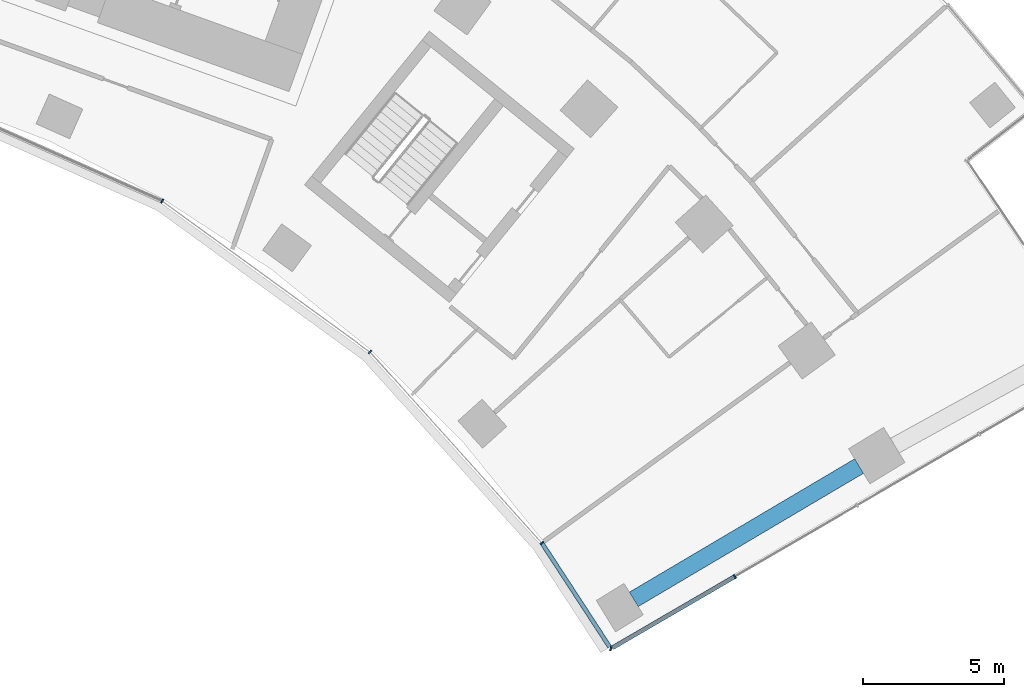
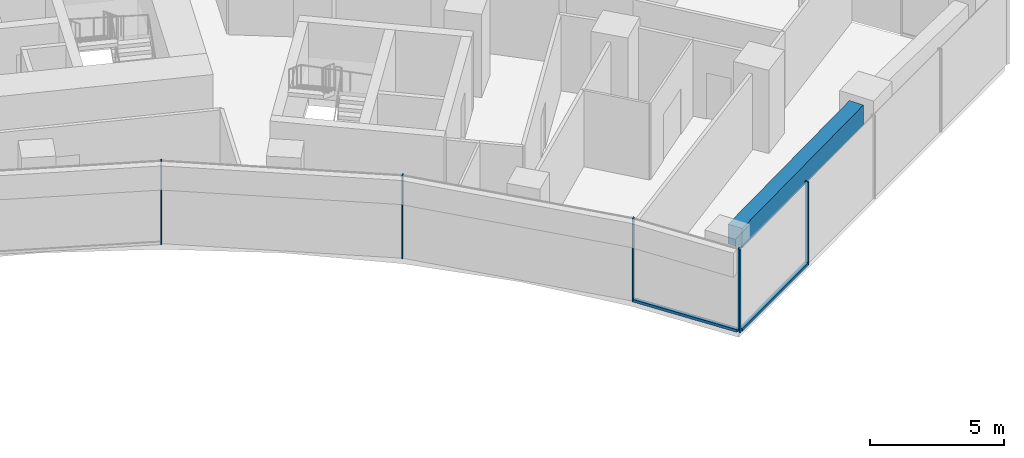
# One storey, part 8 of 21: 7 members, 1 beam, 2 elements without a shape of their own.
"""IFC4 building model written with IfcOpenShell, lengths in metres."""

from ifc_helpers import new_model, si_unit, direction, frame, origin, origin_2d, place, context, subcontext, project, spatial, rectangle, extrude, material, layer, layer_set, material_profile, profile_set, type_object, element, aggregate, save


model = new_model("IFC4")

# Units and contexts
model_context = context("Model", 3, precision=1e-05, world=origin(), true_north=direction((0.0, 1.0)))
body_context = subcontext(model_context, "Body", "Model", "MODEL_VIEW")
ifc_project = project(units=[si_unit("LENGTHUNIT", "METRE"), si_unit("AREAUNIT", "SQUARE_METRE"), si_unit("VOLUMEUNIT", "CUBIC_METRE"), si_unit("PLANEANGLEUNIT", "RADIAN"), si_unit("MASSUNIT", "GRAM", prefix="KILO")], contexts=[model_context])

# Site, building, storey
site_placement = place(None, origin())
site = spatial("IfcSite", under=ifc_project, at=site_placement, CompositionType="ELEMENT")
building_placement = place(site_placement, origin())
building = spatial("IfcBuilding", under=site, at=building_placement, Name="Stone Belt Terrace Tower", CompositionType="ELEMENT")
storey_placement = place(building_placement, frame((0.0, 0.0, 90.800048828125)))
storey = spatial("IfcBuildingStorey", under=building, at=storey_placement, Name="L21", CompositionType="ELEMENT", Elevation=90.800048828125)

# Curtain wall, members
ifc_material_1 = material(Name="Aluminium 6063-T6 anodised frame", Category="aluminium")
ifc_layer_1 = layer(ifc_material_1, 0.14990234375)
ifc_layer_set_1 = layer_set([ifc_layer_1], Name="CW-B unitised concave-face curtain wall")
curtain_wall_type_1 = type_object("IfcCurtainWallType", Name="CW-B unitised concave-face curtain wall", PredefinedType="NOTDEFINED", material=ifc_layer_set_1)
curtain_wall_1_placement = place(storey_placement, origin())
curtain_wall_1 = element("IfcCurtainWall", 1, at=curtain_wall_1_placement, inside=storey, type_object=curtain_wall_type_1, Name="CW-B concave face L21", PredefinedType="NOTDEFINED")
ifc_material_profile_1 = material_profile(ifc_material_1, rectangle(XDim=0.14990234375, YDim=0.050048828125, at=origin_2d()), Name="Aluminium 6063-T6 50x150")
ifc_profile_set_1 = profile_set([ifc_material_profile_1], Name="Aluminium 6063-T6 anodised frame")
member_type_1 = type_object("IfcMemberType", Name="CW-B mullion 50 x 150", PredefinedType="MULLION", material=ifc_profile_set_1)
member_1_placement = place(storey_placement, frame((21.71240234375, 37.606689453125, 0.0), z_axis=(0.0, 0.0, 1.0), x_axis=(0.5, 0.866025403784, 0.0)))
member_1 = element("IfcMember", 2, at=member_1_placement, type_object=member_type_1, Name="CW-B mullion 8", PredefinedType="MULLION", context=body_context, shape_type="SweptSolid", body=[
    extrude(rectangle(XDim=0.14990234375, YDim=0.050048828125, at=origin_2d()), origin(), (0.0, 0.0, 1.0), 3.800048828125),
])
member_2_placement = place(storey_placement, frame((29.056640625, 32.270751953125, 0.0), z_axis=(0.0, 0.0, 1.0), x_axis=(0.669130606359, 0.743144825477, 0.0)))
member_2 = element("IfcMember", 3, at=member_2_placement, type_object=member_type_1, Name="CW-B mullion 9", PredefinedType="MULLION", context=body_context, shape_type="SweptSolid", body=[
    extrude(rectangle(XDim=0.14990234375, YDim=0.050048828125, at=origin_2d()), origin(), (0.0, 0.0, 1.0), 3.800048828125),
])
member_3_placement = place(storey_placement, frame((35.132568359375, 25.522705078125, 0.0), z_axis=(0.0, 0.0, 1.0), x_axis=(0.792811047542, 0.609467507662, 0.0)))
member_3 = element("IfcMember", 4, at=member_3_placement, type_object=member_type_1, Name="CW-B mullion 10", PredefinedType="MULLION", context=body_context, shape_type="SweptSolid", body=[
    extrude(rectangle(XDim=0.14990234375, YDim=0.050048828125, at=origin_2d()), origin(), (0.0, 0.0, 1.0), 3.800048828125),
])
ifc_material_profile_2 = material_profile(ifc_material_1, rectangle(XDim=0.14990234375, YDim=0.1201171875, at=origin_2d()), Name="Aluminium 6063-T6 150x120")
ifc_profile_set_2 = profile_set([ifc_material_profile_2], Name="Aluminium 6063-T6 anodised frame")
member_type_2 = type_object("IfcMemberType", Name="CW-B transom 120 x 150", PredefinedType="USERDEFINED", material=ifc_profile_set_2)
member_4_placement = place(storey_placement, frame((35.1494140625, 25.4970703125, 0.06005859375), z_axis=(0.546136356084, -0.83769629375, 0.0), x_axis=(0.83769629375, 0.546136356084, 0.0)))
member_4 = element("IfcMember", 5, at=member_4_placement, type_object=member_type_2, Name="CW-B transom 10.1", ObjectType="TRANSOM", PredefinedType="USERDEFINED", context=body_context, shape_type="SweptSolid", body=[
    extrude(rectangle(XDim=0.14990234375, YDim=0.1201171875, at=origin_2d()), origin(), (0.0, 0.0, 1.0), 4.363525390625),
])
aggregate(curtain_wall_1, [member_1, member_2, member_3, member_4])

ifc_layer_2 = layer(ifc_material_1, 0.14990234375)
ifc_layer_set_2 = layer_set([ifc_layer_2], Name="CW-C stick curtain wall, horn ends and notches")
curtain_wall_type_2 = type_object("IfcCurtainWallType", Name="CW-C stick curtain wall, horn ends and notches", PredefinedType="NOTDEFINED", material=ifc_layer_set_2)
curtain_wall_2_placement = place(storey_placement, origin())
curtain_wall_2 = element("IfcCurtainWall", 6, at=curtain_wall_2_placement, inside=storey, type_object=curtain_wall_type_2, Name="CW-C end face L21", PredefinedType="NOTDEFINED")
ifc_material_profile_3 = material_profile(ifc_material_1, rectangle(XDim=0.14990234375, YDim=0.06005859375, at=origin_2d()), Name="Aluminium 6063-T6 60x150")
ifc_profile_set_3 = profile_set([ifc_material_profile_3], Name="Aluminium 6063-T6 anodised frame")
member_type_3 = type_object("IfcMemberType", Name="CW-C mullion 60 x 150", PredefinedType="MULLION", material=ifc_profile_set_3)
member_5_placement = place(storey_placement, frame((37.570556640625, 21.783447265625, 0.0), z_axis=(0.0, 0.0, 1.0), x_axis=(0.230847440535, 0.972989958426, 0.0)))
member_5 = element("IfcMember", 7, at=member_5_placement, type_object=member_type_3, Name="CW-C mullion 1", PredefinedType="MULLION", context=body_context, shape_type="SweptSolid", body=[
    extrude(rectangle(XDim=0.14990234375, YDim=0.06005859375, at=origin_2d()), origin(), (0.0, 0.0, 1.0), 3.800048828125),
])
member_6_placement = place(storey_placement, frame((41.953369140625, 24.334716796875, 0.0), z_axis=(0.0, 0.0, 1.0), x_axis=(-0.503080901861, 0.864239322284, 0.0)))
member_6 = element("IfcMember", 8, at=member_6_placement, type_object=member_type_3, Name="CW-C mullion 2", PredefinedType="MULLION", context=body_context, shape_type="SweptSolid", body=[
    extrude(rectangle(XDim=0.14990234375, YDim=0.06005859375, at=origin_2d()), origin(), (0.0, 0.0, 1.0), 3.800048828125),
])
ifc_material_profile_4 = material_profile(ifc_material_1, rectangle(XDim=0.14990234375, YDim=0.1201171875, at=origin_2d()), Name="Aluminium 6063-T6 150x120")
ifc_profile_set_4 = profile_set([ifc_material_profile_4], Name="Aluminium 6063-T6 anodised frame")
member_type_4 = type_object("IfcMemberType", Name="CW-C transom 120 x 150", PredefinedType="USERDEFINED", material=ifc_profile_set_4)
member_7_placement = place(storey_placement, frame((37.634033203125, 21.8203125, 0.06005859375), z_axis=(0.864238402529, 0.5030824819, 0.0), x_axis=(-0.5030824819, 0.864238402529, 0.0)))
member_7 = element("IfcMember", 9, at=member_7_placement, type_object=member_type_4, Name="CW-C transom 1.1", ObjectType="TRANSOM", PredefinedType="USERDEFINED", context=body_context, shape_type="SweptSolid", body=[
    extrude(rectangle(XDim=0.14990234375, YDim=0.1201171875, at=origin_2d()), origin(), (0.0, 0.0, 1.0), 4.968017578125),
])
aggregate(curtain_wall_2, [member_5, member_6, member_7])

# Beam
ifc_material_2 = material(Name="Concrete B60", Category="concrete")
ifc_material_profile_5 = material_profile(ifc_material_2, rectangle(XDim=0.60009765625, YDim=0.89990234375, at=origin_2d()), Name="RC 600x900")
ifc_profile_set_5 = profile_set([ifc_material_profile_5], Name="Concrete B60")
beam_type = type_object("IfcBeamType", Name="Edge beam RC 600x900 B60", PredefinedType="SPANDREL", material=ifc_profile_set_5)
beam_placement = place(storey_placement, frame((38.3828125, 23.52783203125, 3.030029296875), z_axis=(0.860646513691, 0.509202885372, 0.0), x_axis=(-0.509202885372, 0.860646513691, 0.0)))
element("IfcBeam", 10, at=beam_placement, inside=storey, type_object=beam_type, Name="Edge beam L21 B P to Q", PredefinedType="SPANDREL", context=body_context, shape_type="SweptSolid", body=[
    extrude(rectangle(XDim=0.60009765625, YDim=0.89990234375, at=origin_2d()), origin(), (0.0, 0.0, 1.0), 9.255859375),
])

save(model, "model.ifc")
